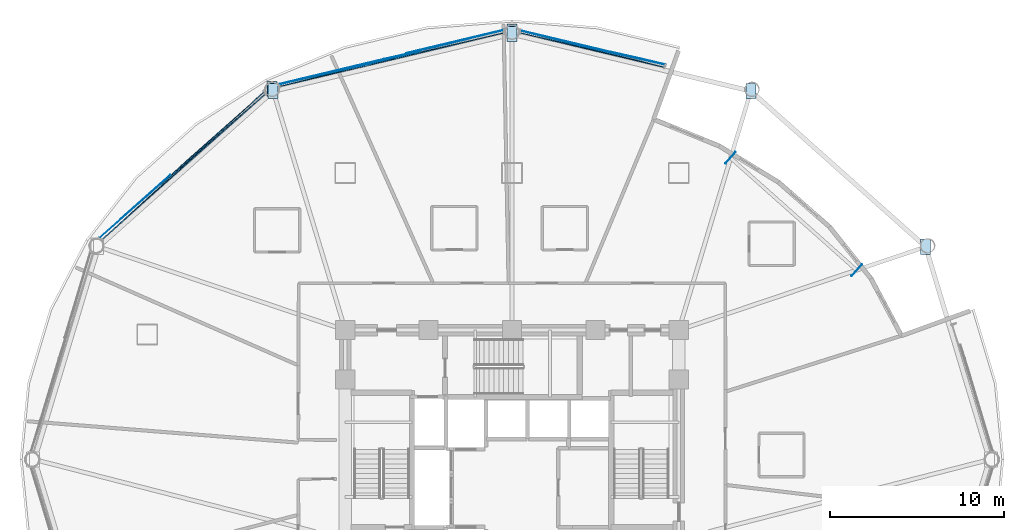
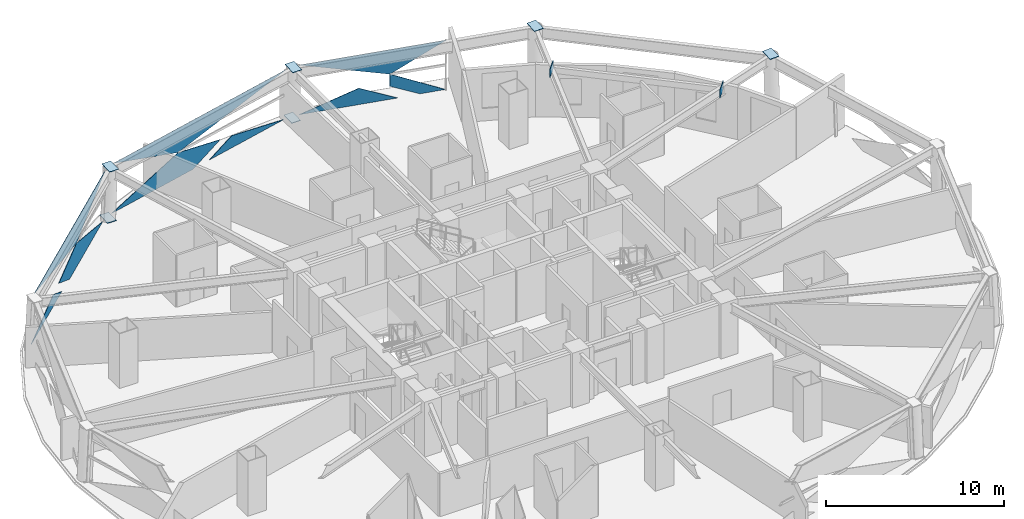
# One storey, part 7 of 16: 17 plates, 3 elements without a shape of their own.
"""IFC4 building model written with IfcOpenShell, lengths in metres."""

from ifc_helpers import new_model, si_unit, direction, frame, origin, origin_2d, place, context, subcontext, project, spatial, polyline, rectangle, outline, extrude, material, layer, layer_set, type_object, element, aggregate, save


model = new_model("IFC4")

# Units and contexts
model_context = context("Model", 3, precision=1e-05, world=origin(), true_north=direction((0.0, 1.0)))
body_context = subcontext(model_context, "Body", "Model", "MODEL_VIEW")
ifc_project = project(units=[si_unit("LENGTHUNIT", "METRE"), si_unit("AREAUNIT", "SQUARE_METRE"), si_unit("VOLUMEUNIT", "CUBIC_METRE"), si_unit("PLANEANGLEUNIT", "RADIAN"), si_unit("MASSUNIT", "GRAM", prefix="KILO")], contexts=[model_context])

# Site, building, storey
site_placement = place(None, origin())
site = spatial("IfcSite", under=ifc_project, at=site_placement, CompositionType="ELEMENT")
building_placement = place(site_placement, origin())
building = spatial("IfcBuilding", under=site, at=building_placement, Name="Vantalir Tower", CompositionType="ELEMENT")
storey_placement = place(building_placement, frame((0.0, 0.0, 75.75)))
storey = spatial("IfcBuildingStorey", under=building, at=storey_placement, Name="L18", CompositionType="ELEMENT", Elevation=75.75)

# Curtain wall, plates
ifc_material_1 = material(Name="Champagne-silver PVDF aluminium and double-silver Low-E glass", Category="aluminium")
ifc_layer_1 = layer(ifc_material_1, 0.18994140625)
ifc_layer_set_1 = layer_set([ifc_layer_1], Name="Champagne-silver PVDF aluminium and double-silver Low-E glass")
curtain_wall_type = type_object("IfcCurtainWallType", Name="CW-DIAMOND-Z1", PredefinedType="USERDEFINED", material=ifc_layer_set_1)
curtain_wall_1_placement = place(storey_placement, origin())
curtain_wall_1 = element("IfcCurtainWall", 1, at=curtain_wall_1_placement, inside=storey, type_object=curtain_wall_type, Name="L18 Quilted Pyramid-Diamond Curtain Wall S03", ObjectType="UNITISED CURTAIN WALL", PredefinedType="USERDEFINED")
ifc_material_2 = material(Name="Double-silver Low-E laminated glass IGU", Category="glass")
ifc_layer_2 = layer(ifc_material_2, 0.028076171875)
ifc_layer_set_2 = layer_set([ifc_layer_2], Name="Double-silver Low-E laminated glass IGU")
plate_type_1 = type_object("IfcPlateType", Name="CWP-IGU-28", PredefinedType="CURTAIN_PANEL", material=ifc_layer_set_2)
plate_1_placement = place(storey_placement, frame((37.572265625, 48.368408203125, 0.047119140625), z_axis=(0.232280720554, 0.972361925279, 0.023621031438), x_axis=(-0.9726330714, 0.232346522723, -4.2399e-05)))
plate_1 = element("IfcPlate", 2, at=plate_1_placement, type_object=plate_type_1, Name="CW-L18-S03 Pyramid Diamond Facet 1L", PredefinedType="CURTAIN_PANEL", context=body_context, shape_type="SweptSolid", body=[
    extrude(outline(polyline([(0.0, 0.0), (5.7581693468836335, -5.963111948670274e-19), (2.2641814769206796, 1.1354225661587036), (0.0, 0.0)])), origin(), (0.0, 0.0, -1.0), 0.028076171875),
])
plate_2_placement = place(storey_placement, frame((40.31591796875, 47.74609375, 0.0478515625), z_axis=(0.232239760787, 0.972370155456, 0.023684895779), x_axis=(-0.972643000842, 0.232304956711, -1.225398e-06)))
plate_2 = element("IfcPlate", 3, at=plate_2_placement, type_object=plate_type_1, Name="CW-L18-S03 Pyramid Diamond Facet 1L Infill Light", PredefinedType="CURTAIN_PANEL", context=body_context, shape_type="SweptSolid", body=[
    extrude(outline(polyline([(0.0, 0.0), (1.497277847493371, -1.734723475976807e-18), (3.2616046246589345, 0.8847736835957061), (3.261634875242826, 1.7255838902849714), (0.0, 0.0)])), origin(), (0.0, 0.0, -1.0), 0.028076171875),
])
plate_3_placement = place(storey_placement, frame((31.9716796875, 49.572509765625, 3.523193359375), z_axis=(0.232032546508, 0.971358941967, 0.051212334661), x_axis=(0.972635927354, -0.232334563798, -5.7309957e-05)))
plate_3 = element("IfcPlate", 4, at=plate_3_placement, type_object=plate_type_1, Name="CW-L18-S03 Pyramid Diamond Facet 2U", PredefinedType="CURTAIN_PANEL", context=body_context, shape_type="SweptSolid", body=[
    extrude(outline(polyline([(0.0, 0.0), (8.520007334004188, 4.391018798566293e-18), (5.278778009551291, 1.727305865631723), (0.0, 0.0)])), origin(), (0.0, 0.0, -1.0), 0.028076171875),
])
aggregate(curtain_wall_1, [plate_1, plate_2, plate_3])

curtain_wall_2_placement = place(storey_placement, origin())
curtain_wall_2 = element("IfcCurtainWall", 5, at=curtain_wall_2_placement, inside=storey, type_object=curtain_wall_type, Name="L18 Quilted Pyramid-Diamond Curtain Wall S04", ObjectType="UNITISED CURTAIN WALL", PredefinedType="USERDEFINED")
plate_4_placement = place(storey_placement, frame((24.146240234375, 48.0625, 0.04638671875), z_axis=(-0.232267114789, 0.972360359407, 0.023818455893), x_axis=(-0.972636295479, -0.23233302976, 9.358e-08)))
plate_4 = element("IfcPlate", 6, at=plate_4_placement, type_object=plate_type_1, Name="CW-L18-S04 Pyramid Diamond Facet 1L", PredefinedType="CURTAIN_PANEL", context=body_context, shape_type="SweptSolid", body=[
    extrude(outline(polyline([(0.0, 0.0), (6.265947680784591, 6.938893903907228e-18), (1.1843036694678983, 1.7280291929725047), (-2.082949693791038, 1.0444865549029145), (0.0, 0.0)])), origin(), (0.0, 0.0, -1.0), 0.028076171875),
])
plate_5_placement = place(storey_placement, frame((31.02099609375, 49.7373046875, 0.046875), z_axis=(-0.232254279579, 0.972370458508, 0.023529577937), x_axis=(-0.972639509786, -0.232319569144, 4.2386347e-05)))
plate_5 = element("IfcPlate", 7, at=plate_5_placement, type_object=plate_type_1, Name="CW-L18-S04 Pyramid Diamond Facet 1L Infill Light", PredefinedType="CURTAIN_PANEL", context=body_context, shape_type="SweptSolid", body=[
    extrude(outline(polyline([(0.0, 0.0), (5.759888289042187, 2.3310346708438345e-18), (4.064120869366826, 0.8501607683034017), (0.0, 0.0)])), origin(), (0.0, 0.0, -1.0), 0.028076171875),
])
plate_6_placement = place(storey_placement, frame((18.126708984375, 46.49072265625, 3.523681640625), z_axis=(-0.232029247717, 0.971368580814, 0.051044180982), x_axis=(0.972636513564, 0.23233211677, 0.0)))
plate_6 = element("IfcPlate", 8, at=plate_6_placement, type_object=plate_type_1, Name="CW-L18-S04 Pyramid Diamond Facet 2U", PredefinedType="CURTAIN_PANEL", context=body_context, shape_type="SweptSolid", body=[
    extrude(outline(polyline([(0.0, 0.0), (13.264576384095847, 0.0), (5.035754071444987, 1.7300384880410888), (0.0, 0.0)])), origin(), (0.0, 0.0, -1.0), 0.028076171875),
])
aggregate(curtain_wall_2, [plate_4, plate_5, plate_6])

curtain_wall_3_placement = place(storey_placement, origin())
curtain_wall_3 = element("IfcCurtainWall", 9, at=curtain_wall_3_placement, inside=storey, type_object=curtain_wall_type, Name="L18 Quilted Pyramid-Diamond Curtain Wall S05", ObjectType="UNITISED CURTAIN WALL", PredefinedType="USERDEFINED")
plate_7_placement = place(storey_placement, frame((17.218017578125, 46.171142578125, 0.04638671875), z_axis=(-0.665268149043, 0.746172450131, 0.025396151957), x_axis=(-0.746413192076, -0.665482792185, 1.12252e-07)))
plate_7 = element("IfcPlate", 10, at=plate_7_placement, type_object=plate_type_1, Name="CW-L18-S05 Pyramid Diamond Facet 1L", PredefinedType="CURTAIN_PANEL", context=body_context, shape_type="SweptSolid", body=[
    extrude(outline(polyline([(0.0, 0.0), (5.937271916819434, 1.3877787807814457e-17), (7.923775694257861, 1.0462349946904292), (4.823420166134544, 1.7278523385195832), (0.0, 0.0)])), origin(), (0.0, 0.0, -1.0), 0.028076171875),
])
plate_8_placement = place(storey_placement, frame((11.820068359375, 41.401611328125, 0.047119140625), z_axis=(-0.665267818329, 0.746165525446, 0.025607392121), x_axis=(-0.746410290572, -0.665486046532, 0.0)))
plate_8 = element("IfcPlate", 11, at=plate_8_placement, type_object=plate_type_1, Name="CW-L18-S05 Pyramid Diamond Facet 1L Infill Light", PredefinedType="CURTAIN_PANEL", context=body_context, shape_type="SweptSolid", body=[
    extrude(outline(polyline([(0.0, 0.0), (5.47869652978113, 1.3877787807814457e-17), (1.613622791506688, 0.8498880728740367), (0.0, 0.0)])), origin(), (0.0, 0.0, -1.0), 0.028076171875),
])
plate_9_placement = place(storey_placement, frame((7.8818359375, 37.664794921875, 3.523681640625), z_axis=(-0.66454638444, 0.745373222554, 0.052885366857), x_axis=(0.746417084614, 0.665478425963, -1.9363315e-05)))
plate_9 = element("IfcPlate", 12, at=plate_9_placement, type_object=plate_type_1, Name="CW-L18-S05 Pyramid Diamond Facet 2U", PredefinedType="CURTAIN_PANEL", context=body_context, shape_type="SweptSolid", body=[
    extrude(outline(polyline([(0.0, 0.0), (12.608410239389572, 1.8133281334820062e-17), (7.806311813887544, 1.7295641357942655), (0.0, 0.0)])), origin(), (0.0, 0.0, -1.0), 0.028076171875),
])
aggregate(curtain_wall_3, [plate_7, plate_8, plate_9])

# Plates
ifc_material_3 = material(Name="Steel S460", Category="steel")
ifc_layer_3 = layer(ifc_material_3, 0.035888671875)
ifc_layer_set_3 = layer_set([ifc_layer_3], Name="Steel S460")
plate_type_2 = type_object("IfcPlateType", Name="PLT-KN-Z2", PredefinedType="USERDEFINED", material=ifc_layer_set_3)
plate_10_placement = place(storey_placement, frame((55.025146484375, 37.6865234375, 3.595703125), z_axis=(-0.03641372764, -0.018713486702, 0.999161571446), x_axis=(-5.046715e-06, -0.999824651398, -0.018726089576)))
element("IfcPlate", 13, at=plate_10_placement, inside=storey, type_object=plate_type_2, Name="L18 Ring Column Top Cap RC02", ObjectType="FLANGE_PLATE", PredefinedType="USERDEFINED", context=body_context, shape_type="SweptSolid", body=[
    extrude(outline(polyline([(0.0, 0.0), (0.8800394086256405, 2.168404344971009e-19), (0.8798828348845267, 0.579978926123681), (-0.0001520019419010254, 0.5799700376353749), (0.0, 0.0)])), origin(), (0.0, 0.0, -1.0), 0.035888671875),
])
plate_11_placement = place(storey_placement, frame((44.95947265625, 46.652099609375, 3.606201171875), z_axis=(-0.021057368516, -0.032453133942, 0.999251410471), x_axis=(9.4785e-08, -0.999473024656, -0.032460329407)))
element("IfcPlate", 14, at=plate_11_placement, inside=storey, type_object=plate_type_2, Name="L18 Ring Column Top Cap RC03", ObjectType="FLANGE_PLATE", PredefinedType="USERDEFINED", context=body_context, shape_type="SweptSolid", body=[
    extrude(outline(polyline([(0.0, 0.0), (0.8801023355409586, 0.0), (0.8799501582137232, 0.5799624966143397), (9.183464167466387e-05, 0.5799626634684424), (0.0, 0.0)])), origin(), (0.0, 0.0, -1.0), 0.035888671875),
])
plate_12_placement = place(storey_placement, frame((31.2099609375, 49.93359375, 3.614501953125), z_axis=(0.0, -0.037452882643, 0.999298394666), x_axis=(0.0, -0.999298394666, -0.037452882643)))
element("IfcPlate", 15, at=plate_12_placement, inside=storey, type_object=plate_type_2, Name="L18 Ring Column Top Cap RC04", ObjectType="FLANGE_PLATE", PredefinedType="USERDEFINED", context=body_context, shape_type="SweptSolid", body=[
    extrude(outline(polyline([(0.0, 0.0), (0.8800119523298754, 0.0), (0.8800119523298754, 0.5800781250000001), (0.0, 0.5800781250000001), (0.0, 0.0)])), origin(), (0.0, 0.0, -1.0), 0.035888671875),
])
plate_13_placement = place(storey_placement, frame((31.2099609375, 50.066650390625, 0.069580078125), z_axis=(0.0, -0.03772991792, 0.999287973156), x_axis=(0.0, -0.999287973156, -0.03772991792)))
element("IfcPlate", 16, at=plate_13_placement, inside=storey, type_object=plate_type_2, Name="L18 Ring Column Base Cap RC04", ObjectType="FLANGE_PLATE", PredefinedType="USERDEFINED", context=body_context, shape_type="SweptSolid", body=[
    extrude(outline(polyline([(0.0, 0.0), (0.8800211299180111, 0.0), (0.8800211299180111, 0.580078125), (0.0, 0.580078125), (0.0, 0.0)])), origin(), (0.0, 0.0, -1.0), 0.035888671875),
])
plate_14_placement = place(storey_placement, frame((17.460693359375, 46.651611328125, 3.618408203125), z_axis=(0.021057368516, -0.032453133942, 0.999251410471), x_axis=(9.4811e-08, -0.999473024526, -0.032460333398)))
element("IfcPlate", 17, at=plate_14_placement, inside=storey, type_object=plate_type_2, Name="L18 Ring Column Top Cap RC05", ObjectType="FLANGE_PLATE", PredefinedType="USERDEFINED", context=body_context, shape_type="SweptSolid", body=[
    extrude(outline(polyline([(0.0, 0.0), (0.8798583235720644, -1.0842021724855044e-19), (0.8800106108819181, 0.5799624965854708), (-9.172465902490231e-05, 0.5799626634858475), (0.0, 0.0)])), origin(), (0.0, 0.0, -1.0), 0.035888671875),
])
plate_15_placement = place(storey_placement, frame((17.38623046875, 46.766845703125, 0.0732421875), z_axis=(0.020853942928, -0.032587296409, 0.99925131032), x_axis=(-2.890279e-06, -0.999468663846, -0.032594324361)))
element("IfcPlate", 18, at=plate_15_placement, inside=storey, type_object=plate_type_2, Name="L18 Ring Column Base Cap RC05", ObjectType="FLANGE_PLATE", PredefinedType="USERDEFINED", context=body_context, shape_type="SweptSolid", body=[
    extrude(outline(polyline([(0.0, 0.0), (0.8801023270969617, 1.0842021724855044e-19), (0.8800105093423999, 0.5799626506572197), (-9.977535328267728e-05, 0.5799575620447539), (0.0, 0.0)])), origin(), (0.0, 0.0, -1.0), 0.035888671875),
])
for number, where, z_axis, x_axis, name in (
    (19, (51.346923828125, 35.89404296875, 3.080078125), (0.0, 0.0, 1.0), (-0.746731058687, 0.665126097813, 0.0), "L18 Lintel Cap 1A"),
    (20, (44.076904296875, 42.368896484375, 3.080078125), (0.0, 0.0, 1.0), (-0.746731058687, 0.665126097813, 0.0), "L18 Lintel Cap 1B"),
):
    element("IfcPlate", number, at=place(storey_placement, frame(where, z_axis=z_axis, x_axis=x_axis)), inside=storey, type_object=plate_type_2, Name=name, ObjectType="FLANGE_PLATE", PredefinedType="USERDEFINED", context=body_context, shape_type="SweptSolid", body=[
        extrude(rectangle(XDim=0.035888671875, YDim=0.8798828125, at=origin_2d()), origin(), (0.0, 0.0, 1.0), 0.580078125),
    ])

save(model, "model.ifc")
